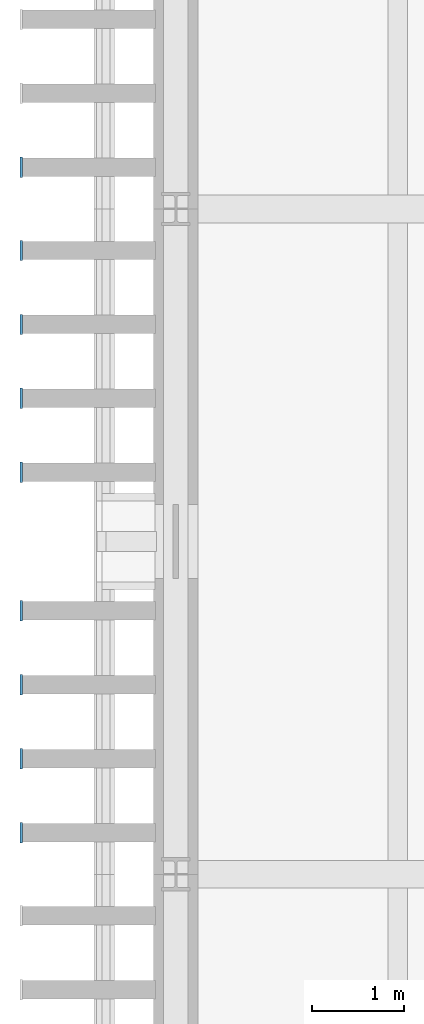
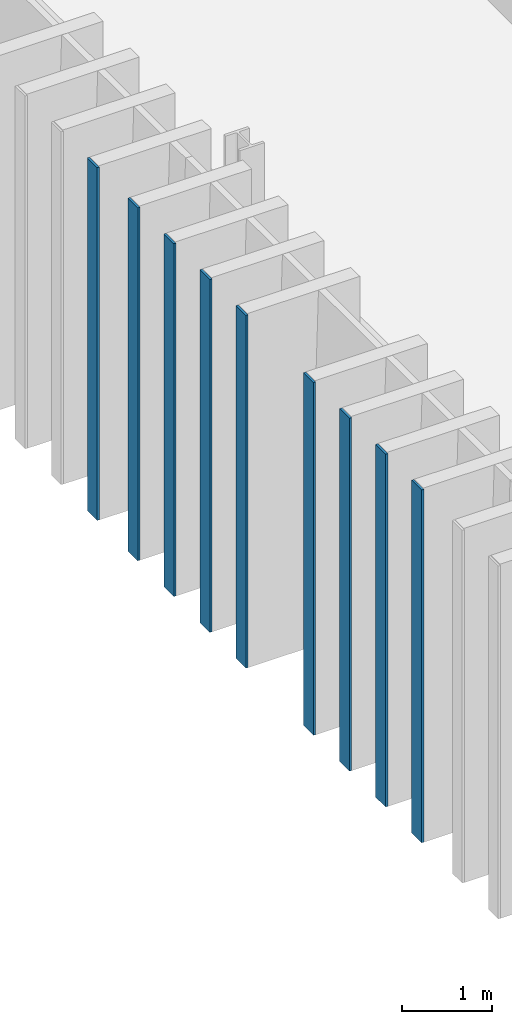
# One storey, part 59 of 121: 9 plates.
"""IFC4 building model written with IfcOpenShell, lengths in metres."""

from ifc_helpers import new_model, si_unit, direction, frame, origin, origin_2d, place, context, subcontext, project, spatial, rectangle, extrude, material, layer, layer_set, type_object, element, save


model = new_model("IFC4")

# Units and contexts
model_context = context("Model", 3, precision=1e-05, world=origin(), true_north=direction((0.0, 1.0)))
body_context = subcontext(model_context, "Body", "Model", "MODEL_VIEW")
ifc_project = project(units=[si_unit("LENGTHUNIT", "METRE"), si_unit("AREAUNIT", "SQUARE_METRE"), si_unit("VOLUMEUNIT", "CUBIC_METRE"), si_unit("PLANEANGLEUNIT", "RADIAN"), si_unit("MASSUNIT", "GRAM", prefix="KILO")], contexts=[model_context])

# Site, building, storey
site_placement = place(None, origin())
site = spatial("IfcSite", under=ifc_project, at=site_placement, CompositionType="ELEMENT")
building_placement = place(site_placement, origin())
building = spatial("IfcBuilding", under=site, at=building_placement, Name="Narikvali Park Central Library", CompositionType="ELEMENT")
storey_placement = place(building_placement, frame((0.0, 0.0, 5.39990234375)))
storey = spatial("IfcBuildingStorey", under=building, at=storey_placement, Name="L01", CompositionType="ELEMENT", Elevation=5.39990234375)

# Plates
ifc_material = material(Name="Anodised Bronze Aluminium", Category="aluminium")
ifc_layer = layer(ifc_material, 0.028076171875, Name="Anodised Bronze Aluminium")
ifc_layer_set = layer_set([ifc_layer], Name="Anodised Bronze Aluminium")
plate_type = type_object("IfcPlateType", Name="Vertical Brick Fin Bronze Bullnose Cap 28", PredefinedType="SHEET", material=ifc_layer_set)
for number, where, z_axis, x_axis, name in (
    (1, (-1.672119140625, 79.64990234375, 0.01025390625), (0.0, 0.0, 1.0), (1.0, 0.0, 0.0), "West Stacks Fin Bullnose Trim 314"),
    (2, (-1.672119140625, 80.449951171875, 0.01025390625), (0.0, 0.0, 1.0), (1.0, 0.0, 0.0), "West Stacks Fin Bullnose Trim 320"),
    (3, (-1.672119140625, 81.25, 0.01025390625), (0.0, 0.0, 1.0), (1.0, 0.0, 0.0), "West Stacks Fin Bullnose Trim 326"),
    (4, (-1.672119140625, 82.050048828125, 0.01025390625), (0.0, 0.0, 1.0), (1.0, 0.0, 0.0), "West Stacks Fin Bullnose Trim 332"),
    (5, (-1.672119140625, 83.550048828125, 0.01025390625), (0.0, 0.0, 1.0), (1.0, 0.0, 0.0), "West Stacks Fin Bullnose Trim 338"),
    (6, (-1.672119140625, 84.35009765625, 0.01025390625), (0.0, 0.0, 1.0), (1.0, 0.0, 0.0), "West Stacks Fin Bullnose Trim 344"),
    (7, (-1.672119140625, 85.14990234375, 0.01025390625), (0.0, 0.0, 1.0), (1.0, 0.0, 0.0), "West Stacks Fin Bullnose Trim 350"),
    (8, (-1.672119140625, 85.949951171875, 0.01025390625), (0.0, 0.0, 1.0), (1.0, 0.0, 0.0), "West Stacks Fin Bullnose Trim 356"),
    (9, (-1.672119140625, 86.85009765625, 0.01025390625), (0.0, 0.0, 1.0), (1.0, 0.0, 0.0), "West Stacks Fin Bullnose Trim 362"),
):
    element("IfcPlate", number, at=place(storey_placement, frame(where, z_axis=z_axis, x_axis=x_axis)), inside=storey, type_object=plate_type, Name=name, PredefinedType="SHEET", context=body_context, shape_type="SweptSolid", body=[
        extrude(rectangle(XDim=0.028076171875, YDim=0.219970703125, at=origin_2d()), origin(), (0.0, 0.0, 1.0), 4.780029296875),
    ])

save(model, "model.ifc")
